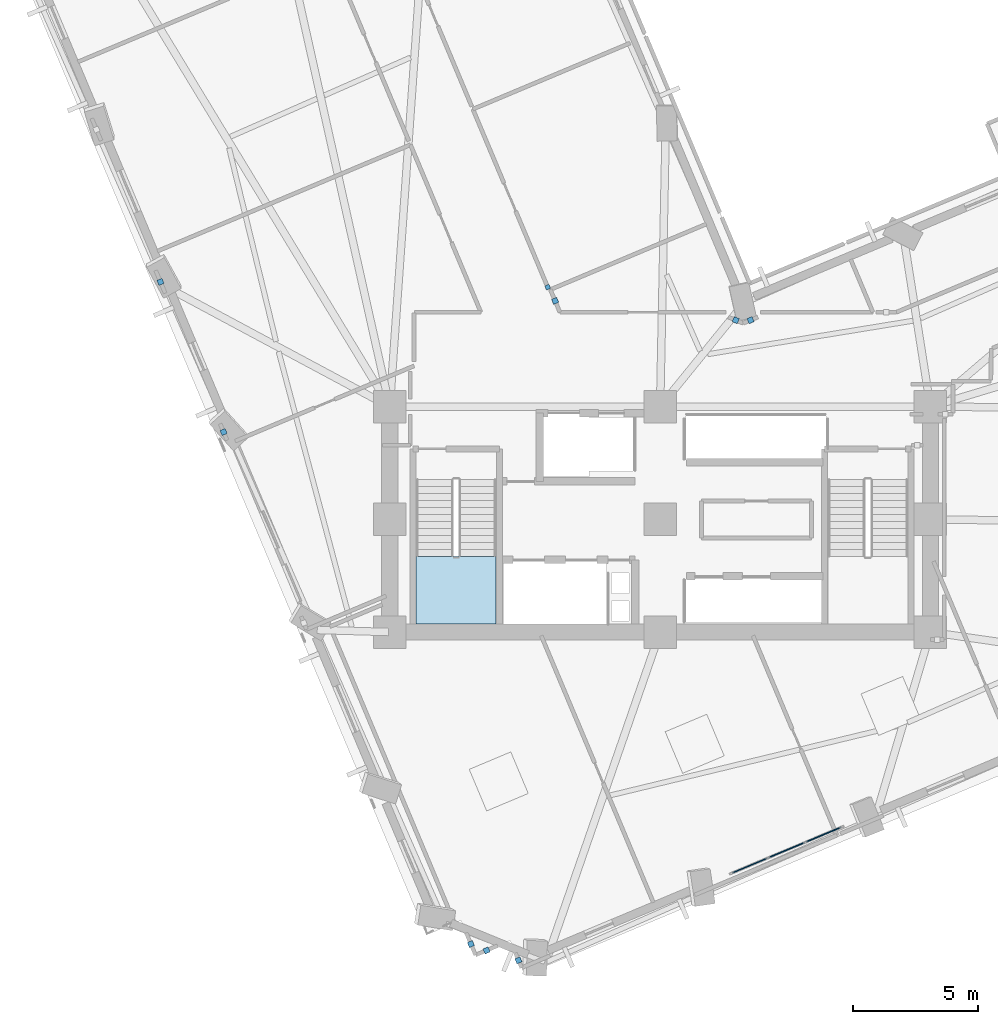
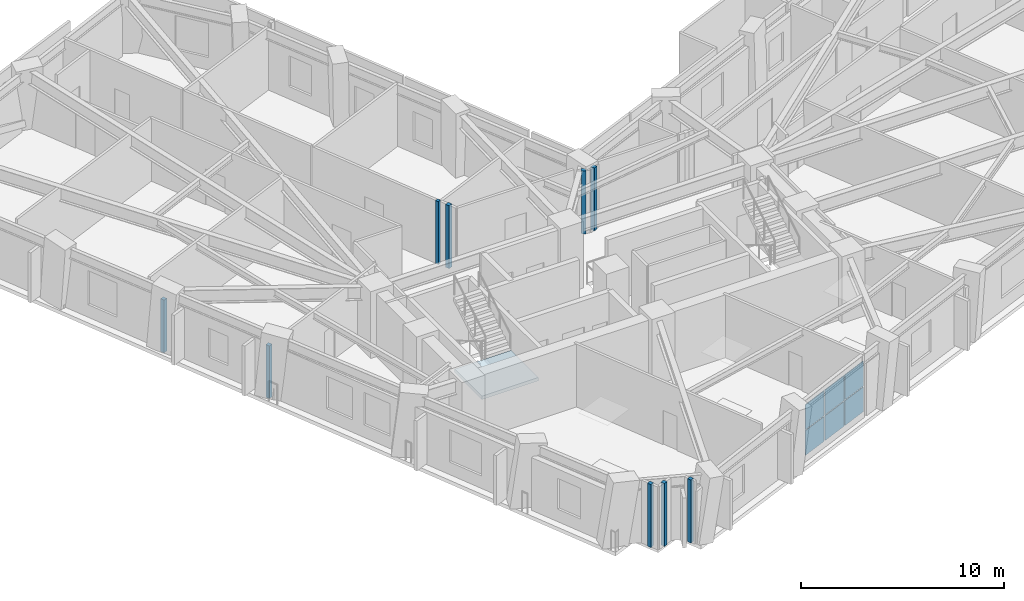
# One storey, part 6 of 18: 15 plates, 1 slab, 2 elements without a shape of their own.
"""IFC4 building model written with IfcOpenShell, lengths in metres."""

from ifc_helpers import new_model, si_unit, direction, frame, origin, origin_2d, place, context, subcontext, project, spatial, polyline, rectangle, outline, extrude, material, layer, layer_set, type_object, element, aggregate, save


model = new_model("IFC4")

# Units and contexts
model_context = context("Model", 3, precision=1e-05, world=origin(), true_north=direction((0.0, 1.0)))
body_context = subcontext(model_context, "Body", "Model", "MODEL_VIEW")
ifc_project = project(units=[si_unit("LENGTHUNIT", "METRE"), si_unit("AREAUNIT", "SQUARE_METRE"), si_unit("VOLUMEUNIT", "CUBIC_METRE"), si_unit("PLANEANGLEUNIT", "RADIAN"), si_unit("MASSUNIT", "GRAM", prefix="KILO")], contexts=[model_context])

# Site, building, storey
site_placement = place(None, origin())
site = spatial("IfcSite", under=ifc_project, at=site_placement, CompositionType="ELEMENT")
building_placement = place(site_placement, origin())
building = spatial("IfcBuilding", under=site, at=building_placement, Name="Gaonmaruhae Medical Tower", CompositionType="ELEMENT")
storey_placement = place(building_placement, frame((0.0, 0.0, 120.39990234375)))
storey = spatial("IfcBuildingStorey", under=building, at=storey_placement, Name="L28", CompositionType="ELEMENT", Elevation=120.39990234375)

# Curtain wall, plates
ifc_material_1 = material(Name="Anodised aluminium and Low-E double glazing", Category="aluminium")
curtain_wall_type = type_object("IfcCurtainWallType", Name="CW-S3 Spiralling Dayroom Ribbon Curtain Wall", PredefinedType="NOTDEFINED", material=ifc_material_1)
curtain_wall_placement = place(storey_placement, origin())
curtain_wall = element("IfcCurtainWall", 1, at=curtain_wall_placement, inside=storey, type_object=curtain_wall_type, Name="L28 Curtain Wall CW-L28-S02", PredefinedType="NOTDEFINED")
ifc_material_2 = material(Name="Insulated fritted spandrel glass", Category="glass")
ifc_layer_1 = layer(ifc_material_2, 0.0439453125)
ifc_layer_set_1 = layer_set([ifc_layer_1], Name="Insulated fritted spandrel glass")
plate_type_1 = type_object("IfcPlateType", Name="CWP-S1 Insulated Fritted Spandrel Panel", PredefinedType="CURTAIN_PANEL", material=ifc_layer_set_1)
plate_1_placement = place(storey_placement, frame((31.324951171875, -0.292236328125, 0.06494140625), z_axis=(0.0, 0.0, 1.0), x_axis=(-0.921862814858, -0.387516387502, 0.0)))
plate_1 = element("IfcPlate", 2, at=plate_1_placement, type_object=plate_type_1, Name="CW-S3 panel 1.1", PredefinedType="CURTAIN_PANEL", context=body_context, shape_type="SweptSolid", body=[
    extrude(rectangle(XDim=1.51513671875, YDim=0.0439453125, at=origin_2d()), origin(), (0.0, 0.0, 1.0), 1.485107421875),
])
plate_2_placement = place(storey_placement, frame((31.324951171875, -0.292236328125, 1.615234375), z_axis=(0.0, 0.0, 1.0), x_axis=(-0.921862814858, -0.387516387502, 0.0)))
plate_2 = element("IfcPlate", 3, at=plate_2_placement, type_object=plate_type_1, Name="CW-S3 panel 1.2", PredefinedType="CURTAIN_PANEL", context=body_context, shape_type="SweptSolid", body=[
    extrude(rectangle(XDim=1.51513671875, YDim=0.0439453125, at=origin_2d()), origin(), (0.0, 0.0, 1.0), 1.485107421875),
])
plate_3_placement = place(storey_placement, frame((29.853271484375, -0.910888671875, 0.06494140625), z_axis=(0.0, 0.0, 1.0), x_axis=(-0.921862814858, -0.387516387502, 0.0)))
plate_3 = element("IfcPlate", 4, at=plate_3_placement, type_object=plate_type_1, Name="CW-S3 panel 2.1", PredefinedType="CURTAIN_PANEL", context=body_context, shape_type="SweptSolid", body=[
    extrude(rectangle(XDim=1.5478515625, YDim=0.0439453125, at=origin_2d()), origin(), (0.0, 0.0, 1.0), 1.485107421875),
])
plate_4_placement = place(storey_placement, frame((29.853271484375, -0.910888671875, 1.615234375), z_axis=(0.0, 0.0, 1.0), x_axis=(-0.921862814858, -0.387516387502, 0.0)))
plate_4 = element("IfcPlate", 5, at=plate_4_placement, type_object=plate_type_1, Name="CW-S3 panel 2.2", PredefinedType="CURTAIN_PANEL", context=body_context, shape_type="SweptSolid", body=[
    extrude(rectangle(XDim=1.5478515625, YDim=0.0439453125, at=origin_2d()), origin(), (0.0, 0.0, 1.0), 1.485107421875),
])
plate_5_placement = place(storey_placement, frame((28.38134765625, -1.529541015625, 0.06494140625), z_axis=(0.0, 0.0, 1.0), x_axis=(-0.921862814858, -0.387516387502, 0.0)))
plate_5 = element("IfcPlate", 6, at=plate_5_placement, type_object=plate_type_1, Name="CW-S3 panel 3.1", PredefinedType="CURTAIN_PANEL", context=body_context, shape_type="SweptSolid", body=[
    extrude(rectangle(XDim=1.51513671875, YDim=0.0439453125, at=origin_2d()), origin(), (0.0, 0.0, 1.0), 1.485107421875),
])
plate_6_placement = place(storey_placement, frame((28.38134765625, -1.529541015625, 1.615234375), z_axis=(0.0, 0.0, 1.0), x_axis=(-0.921862814858, -0.387516387502, 0.0)))
plate_6 = element("IfcPlate", 7, at=plate_6_placement, type_object=plate_type_1, Name="CW-S3 panel 3.2", PredefinedType="CURTAIN_PANEL", context=body_context, shape_type="SweptSolid", body=[
    extrude(rectangle(XDim=1.51513671875, YDim=0.0439453125, at=origin_2d()), origin(), (0.0, 0.0, 1.0), 1.485107421875),
])
aggregate(curtain_wall, [plate_1, plate_2, plate_3, plate_4, plate_5, plate_6])

# Plates
ifc_material_3 = material(Name="Anodised aluminium 6063-T6", Category="aluminium")
ifc_layer_2 = layer(ifc_material_3, 0.011962890625)
ifc_layer_set_2 = layer_set([ifc_layer_2], Name="Anodised aluminium 6063-T6")
plate_type_2 = type_object("IfcPlateType", Name="PP-01 Interior Partition Corner Stiffener Plate", PredefinedType="SHEET", material=ifc_layer_set_2)
plate_7_placement = place(storey_placement, frame((20.31005859375, 21.578369140625, 0.0), z_axis=(0.0, 0.0, 1.0), x_axis=(-0.387563854563, 0.921842860056, 0.0)))
element("IfcPlate", 8, at=plate_7_placement, inside=storey, type_object=plate_type_2, Name="L28 Partition End Jamb Post Plate PLT-L28-ENDP-PW081-0", PredefinedType="SHEET", context=body_context, shape_type="SweptSolid", body=[
    extrude(rectangle(XDim=0.179931640625, YDim=0.179931640625, at=origin_2d()), origin(), (0.0, 0.0, 1.0), 3.780029296875),
])
for number, where, z_axis, x_axis, name in (
    (9, (17.239013671875, -4.6630859375, 0.0), (0.0, 0.0, 1.0), (-0.387869527916, 0.921714288331, 0.0), "L28 Partition Corner Stiffener Plate PLT-L28-JGP-PW005"),
    (10, (19.1416015625, -5.31640625, 0.0), (0.0, 0.0, 1.0), (-0.386727057021, 0.92219422215, 0.0), "L28 Partition Corner Stiffener Plate PLT-L28-JGP-PW010"),
    (11, (17.867431640625, -4.9189453125, 0.0), (0.0, 0.0, 1.0), (-0.921869914871, -0.387499496846, 0.0), "L28 Partition Corner Stiffener Plate PLT-L28-JGP-PW011"),
):
    element("IfcPlate", number, at=place(storey_placement, frame(where, z_axis=z_axis, x_axis=x_axis)), inside=storey, type_object=plate_type_2, Name=name, PredefinedType="SHEET", context=body_context, shape_type="SweptSolid", body=[
        extrude(rectangle(XDim=0.219970703125, YDim=0.219970703125, at=origin_2d()), origin(), (0.0, 0.0, 1.0), 3.780029296875),
    ])
for number, where, z_axis, x_axis, name in (
    (12, (7.361083984375, 15.79248046875, 0.0), (0.0, 0.0, 1.0), (-0.386920192444, 0.922113206, 0.0), "L28 Partition Corner Stiffener Plate PLT-L28-JGP-PW044"),
    (13, (4.83837890625, 21.791015625, 0.0), (0.0, 0.0, 1.0), (-0.387644299052, 0.921809035219, 0.0), "L28 Partition Corner Stiffener Plate PLT-L28-JGP-PW045"),
):
    element("IfcPlate", number, at=place(storey_placement, frame(where, z_axis=z_axis, x_axis=x_axis)), inside=storey, type_object=plate_type_2, Name=name, PredefinedType="SHEET", context=body_context, shape_type="SweptSolid", body=[
        extrude(rectangle(XDim=0.219970703125, YDim=0.219970703125, at=origin_2d()), origin(), (0.0, 0.0, 1.0), 3.1650390625),
    ])
for number, where, z_axis, x_axis, name in (
    (14, (28.41162109375, 20.260009765625, 0.0), (0.0, 0.0, 1.0), (-0.923866173777, -0.382715681611, 0.0), "L28 Partition Corner Stiffener Plate PLT-L28-JGP-PW060"),
    (15, (27.822021484375, 20.260009765625, 0.0), (0.0, 0.0, 1.0), (-0.924093119157, 0.382167381036, 0.0), "L28 Partition Corner Stiffener Plate PLT-L28-JGP-PW061"),
    (16, (20.60546875, 21.031005859375, 0.0), (0.0, 0.0, 1.0), (-0.387370775747, 0.921924011021, 0.0), "L28 Partition Corner Stiffener Plate PLT-L28-JGP-PW063"),
):
    element("IfcPlate", number, at=place(storey_placement, frame(where, z_axis=z_axis, x_axis=x_axis)), inside=storey, type_object=plate_type_2, Name=name, PredefinedType="SHEET", context=body_context, shape_type="SweptSolid", body=[
        extrude(rectangle(XDim=0.219970703125, YDim=0.219970703125, at=origin_2d()), origin(), (0.0, 0.0, 1.0), 3.780029296875),
    ])

# Stair, slab
ifc_material_4 = material(Name="Concrete C40/50", Category="concrete")
stair_type = type_object("IfcStairType", Name="ST-T1 Primary Core Escape Dogleg Stair", PredefinedType="TWO_QUARTER_TURN_STAIR", material=ifc_material_4)
stair_placement = place(storey_placement, origin())
stair = element("IfcStair", 17, at=stair_placement, inside=storey, type_object=stair_type, Name="L28 Protected Escape Stair ST-01", PredefinedType="TWO_QUARTER_TURN_STAIR")
ifc_layer_3 = layer(ifc_material_4, 0.199951171875)
ifc_layer_set_3 = layer_set([ifc_layer_3], Name="Concrete C40/50")
slab_type = type_object("IfcSlabType", Name="SL-200 Stair & Ramp Intermediate Concrete Landing", PredefinedType="LANDING", material=ifc_layer_set_3)
slab_placement = place(storey_placement, frame((0.0, 0.0, 1.800048828125)))
slab = element("IfcSlab", 18, at=slab_placement, type_object=slab_type, Name="ST-01 landing 1", PredefinedType="LANDING", context=body_context, shape_type="SweptSolid", body=[
    extrude(outline(polyline([(15.050048828125, 10.820068359375), (15.050048828125, 8.12890625), (18.25, 8.12890625), (18.25, 10.820068359375), (15.050048828125, 10.820068359375)])), origin(), (0.0, 0.0, 1.0), 0.199951171875),
])
aggregate(stair, [slab])

save(model, "model.ifc")
